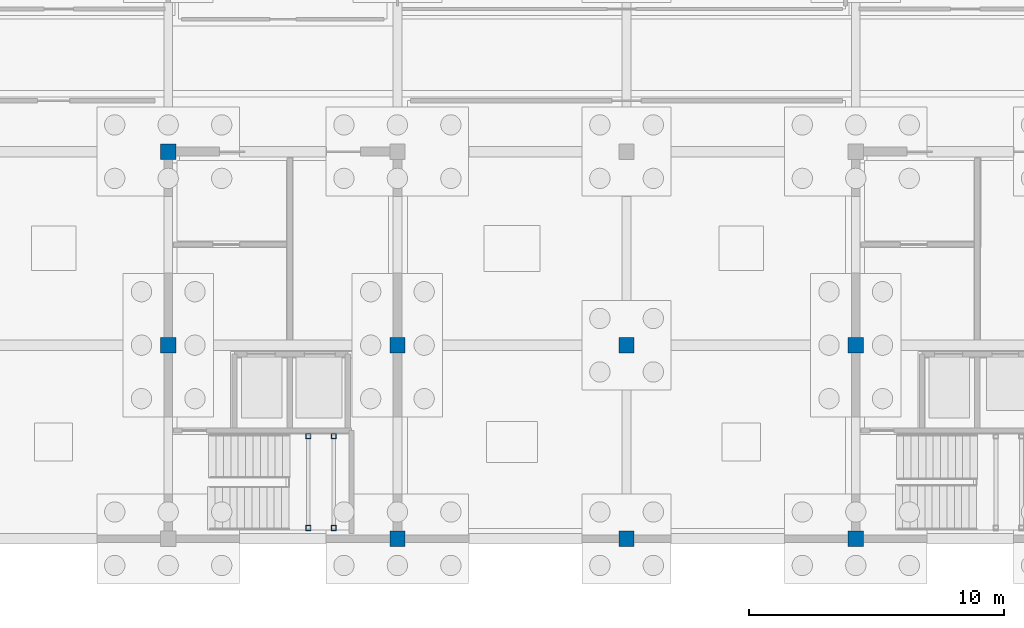
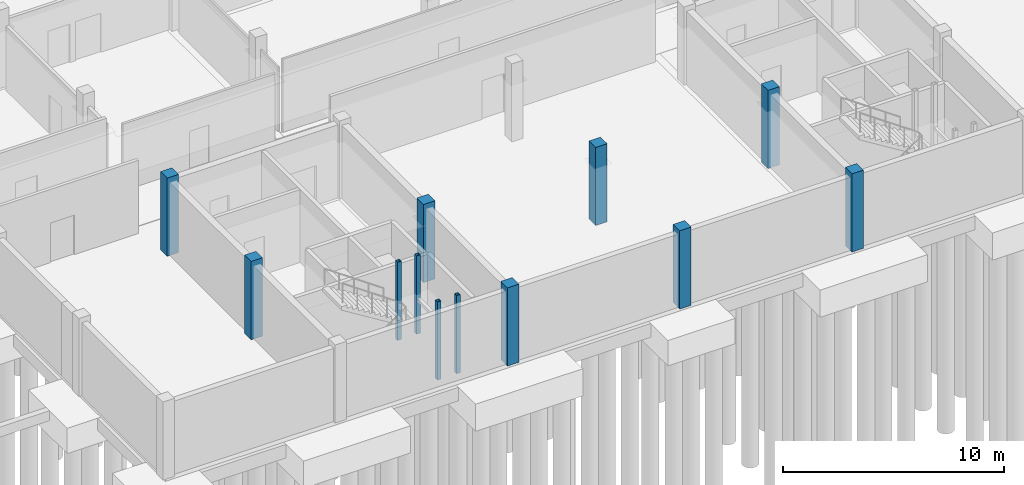
# One storey, part 16 of 28: 12 columns.
"""IFC4 building model written with IfcOpenShell, lengths in metres."""

from ifc_helpers import new_model, si_unit, direction, frame, origin, origin_2d, place, context, subcontext, project, spatial, rectangle, hollow_rectangle, extrude, material, material_profile, profile_set, type_object, element, save


model = new_model("IFC4")

# Units and contexts
model_context = context("Model", 3, precision=1e-05, world=origin(), true_north=direction((0.0, 1.0)))
body_context = subcontext(model_context, "Body", "Model", "MODEL_VIEW")
ifc_project = project(units=[si_unit("LENGTHUNIT", "METRE"), si_unit("AREAUNIT", "SQUARE_METRE"), si_unit("VOLUMEUNIT", "CUBIC_METRE"), si_unit("PLANEANGLEUNIT", "RADIAN"), si_unit("MASSUNIT", "GRAM", prefix="KILO")], contexts=[model_context])

# Site, building, storey
site_placement = place(None, origin())
site = spatial("IfcSite", under=ifc_project, at=site_placement, CompositionType="ELEMENT")
building_placement = place(site_placement, origin())
building = spatial("IfcBuilding", under=site, at=building_placement, Name="Caisbarro Railhouse Central Library", CompositionType="ELEMENT")
storey_placement = place(building_placement, frame((0.0, 0.0, -4.320068359375)))
storey = spatial("IfcBuildingStorey", under=building, at=storey_placement, Name="B01", CompositionType="ELEMENT", Elevation=-4.320068359375)

# Columns
ifc_material_1 = material(Name="Steel ASTM A572 Grade 50", Category="steel")
ifc_material_profile_1 = material_profile(ifc_material_1, hollow_rectangle(XDim=0.199951171875, YDim=0.199951171875, WallThickness=0.012451171875, at=origin_2d()), Name="HSS200X200X12.5")
ifc_profile_set_1 = profile_set([ifc_material_profile_1], Name="Steel ASTM A572 Grade 50")
column_type_1 = type_object("IfcColumnType", Name="COL-C10", PredefinedType="COLUMN", material=ifc_profile_set_1)
for number, where, z_axis, x_axis, name in (
    (1, (68.5, 0.419921875, 0.0), (0.0, 0.0, 1.0), (1.0, 0.0, 0.0), "C10 Stair Landing Post K1 B01.1"),
    (2, (68.5, 4.030029296875, 0.0), (0.0, 0.0, 1.0), (1.0, 0.0, 0.0), "C10 Stair Landing Post K1 B01.2"),
    (3, (69.5, 0.419921875, 0.0), (0.0, 0.0, 1.0), (1.0, 0.0, 0.0), "C10 Stair Landing Post K1 B01.3"),
    (4, (69.5, 4.030029296875, 0.0), (0.0, 0.0, 1.0), (1.0, 0.0, 0.0), "C10 Stair Landing Post K1 B01.4"),
):
    element("IfcColumn", number, at=place(storey_placement, frame(where, z_axis=z_axis, x_axis=x_axis)), inside=storey, type_object=column_type_1, Name=name, PredefinedType="COLUMN", context=body_context, shape_type="SweptSolid", body=[
        extrude(hollow_rectangle(XDim=0.199951171875, YDim=0.199951171875, WallThickness=0.012451171875, at=origin_2d()), origin(), (0.0, 0.0, 1.0), 4.320068359375),
    ])
ifc_material_2 = material(Name="Concrete C40", Category="concrete")
ifc_material_profile_2 = material_profile(ifc_material_2, rectangle(XDim=0.60009765625, YDim=0.60009765625, at=origin_2d()), Name="RC-COL-600X600")
ifc_profile_set_2 = profile_set([ifc_material_profile_2], Name="Concrete C40")
column_type_2 = type_object("IfcColumnType", Name="COL-RC60", PredefinedType="COLUMN", material=ifc_profile_set_2)
for number, where, z_axis, x_axis, name in (
    (5, (63.0, 7.60009765625, 0.0), (0.0, 0.0, 1.0), (1.0, 0.0, 0.0), "RC60 column B01 (63.0,7.6)"),
    (6, (63.0, 15.199951171875, 0.0), (0.0, 0.0, 1.0), (1.0, 0.0, 0.0), "RC60 column B01 (63.0,15.2)"),
    (7, (72.0, 0.0, 0.0), (0.0, 0.0, 1.0), (1.0, 0.0, 0.0), "RC60 column B01 (72.0,0.0)"),
    (8, (72.0, 7.60009765625, 0.0), (0.0, 0.0, 1.0), (1.0, 0.0, 0.0), "RC60 column B01 (72.0,7.6)"),
    (9, (81.0, 0.0, 0.0), (0.0, 0.0, 1.0), (1.0, 0.0, 0.0), "RC60 column B01 (81.0,0.0)"),
    (10, (81.0, 7.60009765625, 0.0), (0.0, 0.0, 1.0), (1.0, 0.0, 0.0), "RC60 column B01 (81.0,7.6)"),
    (11, (90.0, 0.0, 0.0), (0.0, 0.0, 1.0), (1.0, 0.0, 0.0), "RC60 column B01 (90.0,0.0)"),
    (12, (90.0, 7.60009765625, 0.0), (0.0, 0.0, 1.0), (1.0, 0.0, 0.0), "RC60 column B01 (90.0,7.6)"),
):
    element("IfcColumn", number, at=place(storey_placement, frame(where, z_axis=z_axis, x_axis=x_axis)), inside=storey, type_object=column_type_2, Name=name, PredefinedType="COLUMN", context=body_context, shape_type="SweptSolid", body=[
        extrude(rectangle(XDim=0.60009765625, YDim=0.60009765625, at=origin_2d()), origin(), (0.0, 0.0, 1.0), 4.320068359375),
    ])

save(model, "model.ifc")
